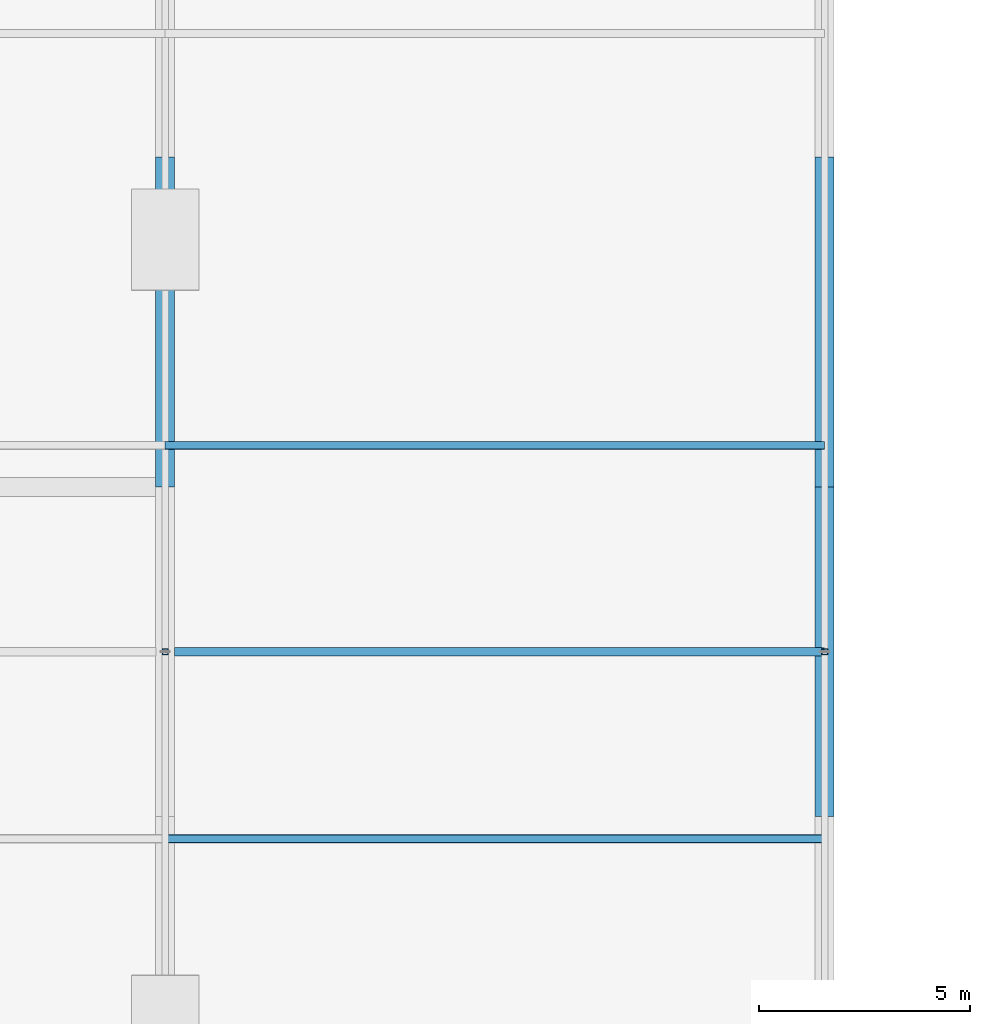
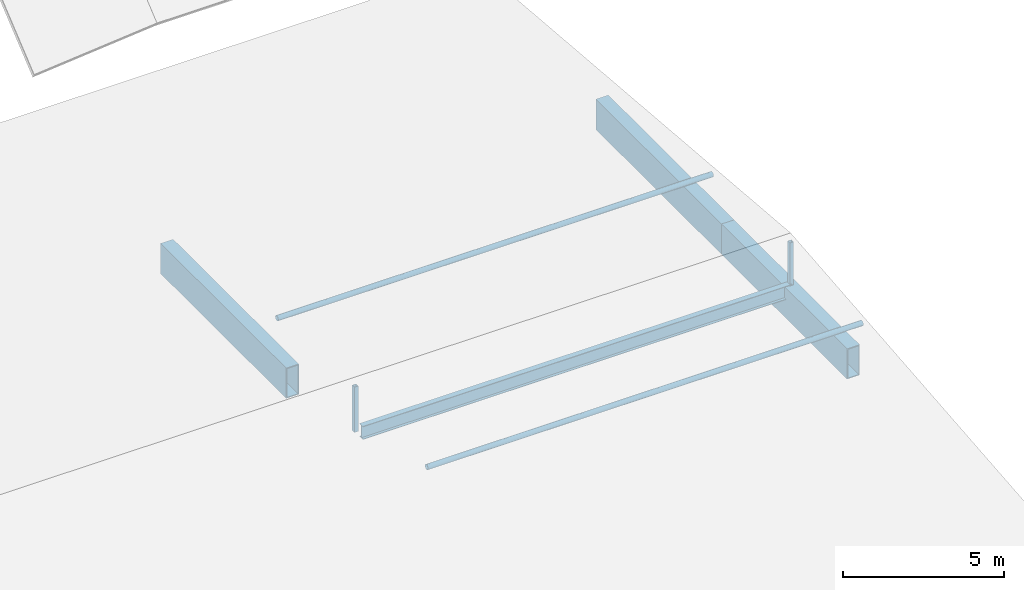
# One storey, part 6 of 45: 4 beams, 4 members.
"""IFC4 building model written with IfcOpenShell, lengths in metres."""

from ifc_helpers import new_model, si_unit, direction, frame, origin, origin_2d, place, context, subcontext, project, spatial, hollow_rectangle, hollow_circle, i_section, extrude, material, material_profile, profile_set, type_object, element, save


model = new_model("IFC4")

# Units and contexts
model_context = context("Model", 3, precision=1e-05, world=origin(), true_north=direction((0.0, 1.0)))
body_context = subcontext(model_context, "Body", "Model", "MODEL_VIEW")
ifc_project = project(units=[si_unit("LENGTHUNIT", "METRE"), si_unit("AREAUNIT", "SQUARE_METRE"), si_unit("VOLUMEUNIT", "CUBIC_METRE"), si_unit("PLANEANGLEUNIT", "RADIAN"), si_unit("MASSUNIT", "GRAM", prefix="KILO")], contexts=[model_context])

# Site, building, storey
site_placement = place(None, origin())
site = spatial("IfcSite", under=ifc_project, at=site_placement, CompositionType="ELEMENT")
building_placement = place(site_placement, origin())
building = spatial("IfcBuilding", under=site, at=building_placement, Name="Celorna Specialist Clinic", CompositionType="ELEMENT")
storey_placement = place(building_placement, frame((0.0, 0.0, 18.60009765625)))
storey = spatial("IfcBuildingStorey", under=building, at=storey_placement, Name="L04", CompositionType="ELEMENT", Elevation=18.60009765625)

# Beams
ifc_material = material(Name="Steel S355", Category="steel")
ifc_material_profile_1 = material_profile(ifc_material, hollow_rectangle(XDim=0.449951171875, YDim=1.14990234375, WallThickness=0.031982421875, at=origin_2d()), Name="BOX 450x1150x32")
ifc_profile_set_1 = profile_set([ifc_material_profile_1], Name="Steel S355")
beam_type_1 = type_object("IfcBeamType", Name="BM-01", PredefinedType="BEAM", material=ifc_profile_set_1)
for number, where, z_axis, x_axis, name in (
    (1, (70.199951171875, 27.300048828125, -0.735107421875), (0.0, 1.0, 0.0), (-1.0, 0.0, 0.0), "Cantilever Pratt truss chord WP-046-WP-047"),
    (2, (85.800048828125, 19.5, -0.735107421875), (0.0, 1.0, 0.0), (-1.0, 0.0, 0.0), "Cantilever Pratt truss chord WP-076-WP-077"),
    (3, (85.800048828125, 27.300048828125, -0.735107421875), (0.0, 1.0, 0.0), (-1.0, 0.0, 0.0), "Cantilever Pratt truss chord WP-077-WP-078"),
):
    element("IfcBeam", number, at=place(storey_placement, frame(where, z_axis=z_axis, x_axis=x_axis)), inside=storey, type_object=beam_type_1, Name=name, PredefinedType="BEAM", context=body_context, shape_type="SweptSolid", body=[
        extrude(hollow_rectangle(XDim=0.449951171875, YDim=1.14990234375, WallThickness=0.031982421875, at=origin_2d()), origin(), (0.0, 0.0, 1.0), 7.800048828125),
    ])
ifc_material_profile_2 = material_profile(ifc_material, i_section(OverallWidth=0.199951171875, OverallDepth=0.5, WebThickness=0.01025390625, FlangeThickness=0.01611328125, at=origin_2d()), Name="IPE 500")
ifc_profile_set_2 = profile_set([ifc_material_profile_2], Name="Steel S355")
beam_type_2 = type_object("IfcBeamType", Name="BM-08", PredefinedType="BEAM", material=ifc_profile_set_2)
beam_placement = place(storey_placement, frame((70.4150390625, 23.39990234375, -0.35009765625), z_axis=(1.0, 0.0, 0.0), x_axis=(0.0, 1.0, 0.0)))
element("IfcBeam", 4, at=beam_placement, inside=storey, type_object=beam_type_2, Name="V6 roof ridge support girder", PredefinedType="BEAM", context=body_context, shape_type="SweptSolid", body=[
    extrude(i_section(OverallWidth=0.199951171875, OverallDepth=0.5, WebThickness=0.01025390625, FlangeThickness=0.01611328125, at=origin_2d()), origin(), (0.0, 0.0, 1.0), 15.385009765625),
])

# Members
ifc_material_profile_3 = material_profile(ifc_material, hollow_circle(Radius=0.096923828125, WallThickness=0.010009765625, at=origin_2d()), Name="CHS 193.7x10")
ifc_profile_set_3 = profile_set([ifc_material_profile_3], Name="Steel S355")
member_type_1 = type_object("IfcMemberType", Name="MB-04", PredefinedType="PURLIN", material=ifc_profile_set_3)
for number, where, z_axis, x_axis, name in (
    (5, (70.199951171875, 18.97509765625, 1.060302734375), (1.0, 0.0, 0.0), (0.0, 1.0, 0.0), "Roof purlin WP-315-WP-316"),
    (6, (70.199951171875, 28.27490234375, 1.060302734375), (1.0, 0.0, 0.0), (0.0, 1.0, 0.0), "Roof purlin WP-321-WP-322"),
):
    element("IfcMember", number, at=place(storey_placement, frame(where, z_axis=z_axis, x_axis=x_axis)), inside=storey, type_object=member_type_1, Name=name, PredefinedType="PURLIN", context=body_context, shape_type="SweptSolid", body=[
        extrude(hollow_circle(Radius=0.096923828125, WallThickness=0.010009765625, at=origin_2d()), origin(), (0.0, 0.0, 1.0), 15.60009765625),
    ])
ifc_material_profile_4 = material_profile(ifc_material, hollow_rectangle(XDim=0.139892578125, YDim=0.139892578125, WallThickness=0.008056640625, at=origin_2d()), Name="SHS 140x140x8")
ifc_profile_set_4 = profile_set([ifc_material_profile_4], Name="Steel S355")
member_type_2 = type_object("IfcMemberType", Name="MB-10", PredefinedType="CHORD", material=ifc_profile_set_4)
for number, where, z_axis, x_axis, name in (
    (7, (70.199951171875, 23.39990234375, -0.25), (0.0, 0.0, 1.0), (1.0, 0.0, 0.0), "Roof ridge/eave support post ROOF-V6-SOUTH"),
    (8, (85.800048828125, 23.39990234375, -0.25), (0.0, 0.0, 1.0), (1.0, 0.0, 0.0), "Roof ridge/eave support post ROOF-V6-SOUTH"),
):
    element("IfcMember", number, at=place(storey_placement, frame(where, z_axis=z_axis, x_axis=x_axis)), inside=storey, type_object=member_type_2, Name=name, PredefinedType="CHORD", context=body_context, shape_type="SweptSolid", body=[
        extrude(hollow_rectangle(XDim=0.139892578125, YDim=0.139892578125, WallThickness=0.008056640625, at=origin_2d()), origin(), (0.0, 0.0, 1.0), 1.718017578125),
    ])

save(model, "model.ifc")
